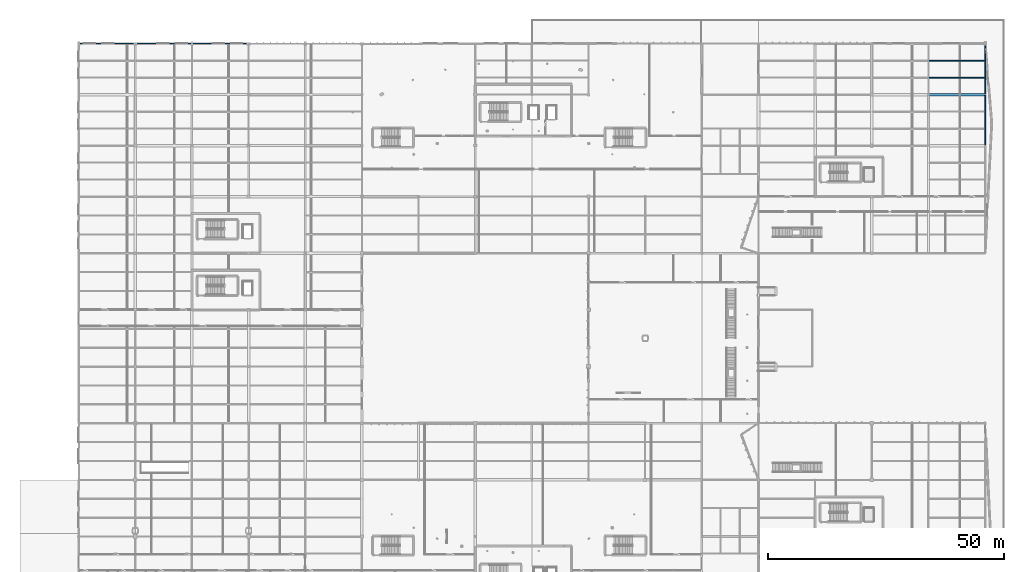
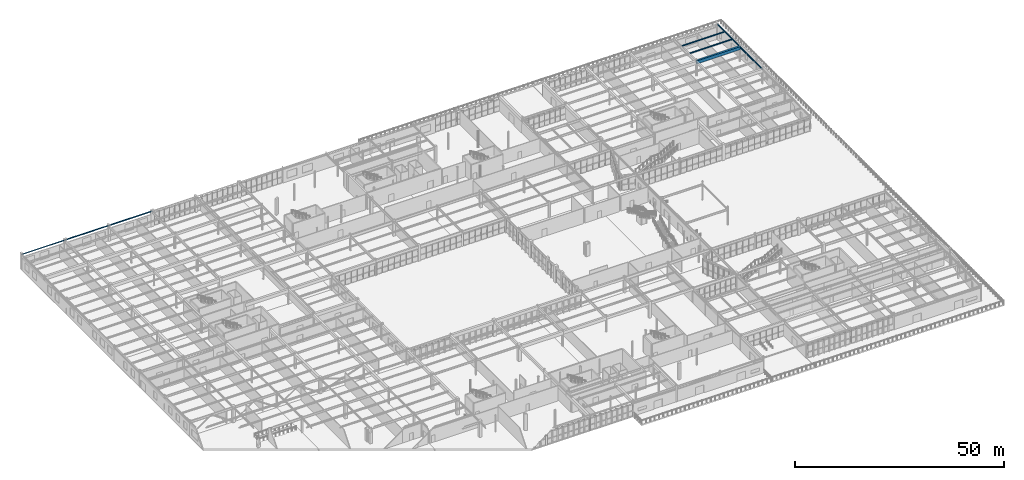
# One storey, part 110 of 199: 8 beams.
"""IFC4 building model written with IfcOpenShell, lengths in metres."""

from ifc_helpers import new_model, si_unit, direction, frame, origin, origin_2d, place, context, subcontext, project, spatial, rectangle, hollow_rectangle, i_section, extrude, material, material_profile, profile_set, type_object, element, save


model = new_model("IFC4")

# Units and contexts
model_context = context("Model", 3, precision=1e-05, world=origin(), true_north=direction((0.0, 1.0)))
body_context = subcontext(model_context, "Body", "Model", "MODEL_VIEW")
ifc_project = project(units=[si_unit("LENGTHUNIT", "METRE"), si_unit("AREAUNIT", "SQUARE_METRE"), si_unit("VOLUMEUNIT", "CUBIC_METRE"), si_unit("PLANEANGLEUNIT", "RADIAN"), si_unit("MASSUNIT", "GRAM", prefix="KILO")], contexts=[model_context])

# Site, building, storey
site_placement = place(None, origin())
site = spatial("IfcSite", under=ifc_project, at=site_placement, CompositionType="ELEMENT")
building_placement = place(site_placement, origin())
building = spatial("IfcBuilding", under=site, at=building_placement, Name="Tarnwether General Hospital", CompositionType="ELEMENT")
storey_placement = place(building_placement, origin())
storey = spatial("IfcBuildingStorey", under=building, at=storey_placement, Name="L00", CompositionType="ELEMENT", Elevation=0.0)

# Beams
ifc_material_1 = material(Name="Concrete 40 MPa", Category="concrete")
ifc_material_profile_1 = material_profile(ifc_material_1, rectangle(XDim=0.5, YDim=0.89990234375, at=origin_2d()), Name="RC-BM-500x900")
ifc_profile_set_1 = profile_set([ifc_material_profile_1], Name="Concrete 40 MPa")
beam_type_1 = type_object("IfcBeamType", Name="BM-G12", PredefinedType="BEAM", material=ifc_profile_set_1)
beam_1_placement = place(storey_placement, frame((180.0, 115.199951171875, 3.9951171875), z_axis=(1.0, 0.0, 0.0), x_axis=(0.0, 1.0, 0.0)))
element("IfcBeam", 1, at=beam_1_placement, inside=storey, type_object=beam_type_1, Name="Primary Girder BMG-L00-18000_11520-19200_11520-0852", PredefinedType="BEAM", context=body_context, shape_type="SweptSolid", body=[
    extrude(rectangle(XDim=0.5, YDim=0.89990234375, at=origin_2d()), origin(), (0.0, 0.0, 1.0), 12.0),
])
ifc_material_2 = material(Name="Steel Grade 350 (350 MPa)", Category="steel")
ifc_material_profile_2 = material_profile(ifc_material_2, i_section(OverallWidth=0.172119140625, OverallDepth=0.35888671875, WebThickness=0.008056640625, FlangeThickness=0.012939453125, at=origin_2d()), Name="360UB56.7")
ifc_profile_set_2 = profile_set([ifc_material_profile_2], Name="Steel Grade 350 (350 MPa)")
beam_type_2 = type_object("IfcBeamType", Name="BM-J03", PredefinedType="JOIST", material=ifc_profile_set_2)
beam_2_placement = place(storey_placement, frame((180.14404296875, 118.800048828125, 4.265380859375), z_axis=(1.0, 0.0, 0.0), x_axis=(0.0, 1.0, 0.0)))
element("IfcBeam", 2, at=beam_2_placement, inside=storey, type_object=beam_type_2, Name="Composite Floor Joist BMG-L00-18014_11880-19191_11880-1043", PredefinedType="JOIST", context=body_context, shape_type="SweptSolid", body=[
    extrude(i_section(OverallWidth=0.172119140625, OverallDepth=0.35888671875, WebThickness=0.008056640625, FlangeThickness=0.012939453125, at=origin_2d()), origin(), (0.0, 0.0, 1.0), 11.761962890625),
])
ifc_material_3 = material(Name="Steel Grade 350 (350 MPa)", Category="steel")
ifc_material_profile_3 = material_profile(ifc_material_3, i_section(OverallWidth=0.1708984375, OverallDepth=0.35595703125, WebThickness=0.00732421875, FlangeThickness=0.011474609375, at=origin_2d()), Name="360UB50.7")
ifc_profile_set_3 = profile_set([ifc_material_profile_3], Name="Steel Grade 350 (350 MPa)")
beam_type_3 = type_object("IfcBeamType", Name="BM-J04", PredefinedType="JOIST", material=ifc_profile_set_3)
beam_3_placement = place(storey_placement, frame((180.14404296875, 122.39990234375, 4.26708984375), z_axis=(1.0, 0.0, 0.0), x_axis=(0.0, 1.0, 0.0)))
element("IfcBeam", 3, at=beam_3_placement, inside=storey, type_object=beam_type_3, Name="Composite Floor Joist BMG-L00-18014_12240-19191_12240-1044", PredefinedType="JOIST", context=body_context, shape_type="SweptSolid", body=[
    extrude(i_section(OverallWidth=0.1708984375, OverallDepth=0.35595703125, WebThickness=0.00732421875, FlangeThickness=0.011474609375, at=origin_2d()), origin(), (0.0, 0.0, 1.0), 11.761962890625),
])
ifc_material_4 = material(Name="Steel Grade 350 (350 MPa)", Category="steel")
ifc_material_profile_4 = material_profile(ifc_material_4, i_section(OverallWidth=0.177978515625, OverallDepth=0.403076171875, WebThickness=0.007568359375, FlangeThickness=0.010986328125, at=origin_2d()), Name="410UB53.7")
ifc_profile_set_4 = profile_set([ifc_material_profile_4], Name="Steel Grade 350 (350 MPa)")
beam_type_4 = type_object("IfcBeamType", Name="BM-SP2", PredefinedType="SPANDREL", material=ifc_profile_set_4)
beam_4_placement = place(storey_placement, frame((192.0, 104.39990234375, 4.243408203125), z_axis=(0.0, 1.0, 0.0), x_axis=(-1.0, 0.0, 0.0)))
element("IfcBeam", 4, at=beam_4_placement, inside=storey, type_object=beam_type_4, Name="Primary Girder BMG-L00-19200_10440-19200_11520-0861", PredefinedType="SPANDREL", context=body_context, shape_type="SweptSolid", body=[
    extrude(i_section(OverallWidth=0.177978515625, OverallDepth=0.403076171875, WebThickness=0.007568359375, FlangeThickness=0.010986328125, at=origin_2d()), origin(), (0.0, 0.0, 1.0), 10.800048828125),
])
ifc_material_5 = material(Name="Steel Grade C350L0 (350 MPa)", Category="steel")
ifc_material_profile_5 = material_profile(ifc_material_5, hollow_rectangle(XDim=0.199951171875, YDim=0.300048828125, WallThickness=0.012451171875, at=origin_2d()), Name="RHS300x200x12.5")
ifc_profile_set_5 = profile_set([ifc_material_profile_5], Name="Steel Grade C350L0 (350 MPa)")
beam_type_5 = type_object("IfcBeamType", Name="BM-SP3", PredefinedType="SPANDREL", material=ifc_profile_set_5)
beam_5_placement = place(storey_placement, frame((192.0, 115.199951171875, 4.294921875), z_axis=(0.0, 1.0, 0.0), x_axis=(-1.0, 0.0, 0.0)))
element("IfcBeam", 5, at=beam_5_placement, inside=storey, type_object=beam_type_5, Name="Primary Girder BMG-L00-19200_11520-19200_12600-0862", PredefinedType="SPANDREL", context=body_context, shape_type="SweptSolid", body=[
    extrude(hollow_rectangle(XDim=0.199951171875, YDim=0.300048828125, WallThickness=0.012451171875, at=origin_2d()), origin(), (0.0, 0.0, 1.0), 10.800048828125),
])
ifc_material_6 = material(Name="Steel Grade C350L0 (350 MPa)", Category="steel")
ifc_material_profile_6 = material_profile(ifc_material_6, hollow_rectangle(XDim=0.14990234375, YDim=0.25, WallThickness=0.010009765625, at=origin_2d()), Name="RHS250x150x10")
ifc_profile_set_6 = profile_set([ifc_material_profile_6], Name="Steel Grade C350L0 (350 MPa)")
beam_type_6 = type_object("IfcBeamType", Name="BM-SP4", PredefinedType="SPANDREL", material=ifc_profile_set_6)
beam_6_placement = place(storey_placement, frame((0.0, 126.0, 4.320068359375), z_axis=(1.0, 0.0, 0.0), x_axis=(0.0, 1.0, 0.0)))
element("IfcBeam", 6, at=beam_6_placement, inside=storey, type_object=beam_type_6, Name="Primary Girder BMG-L00-0_12600-1200_12600-0601", PredefinedType="SPANDREL", context=body_context, shape_type="SweptSolid", body=[
    extrude(hollow_rectangle(XDim=0.14990234375, YDim=0.25, WallThickness=0.010009765625, at=origin_2d()), origin(), (0.0, 0.0, 1.0), 12.0),
])
ifc_material_7 = material(Name="Steel Grade 350 (350 MPa)", Category="steel")
ifc_material_profile_7 = material_profile(ifc_material_7, i_section(OverallWidth=0.133056640625, OverallDepth=0.202880859375, WebThickness=0.005859375, FlangeThickness=0.0078125, at=origin_2d()), Name="200UB25.4")
ifc_profile_set_7 = profile_set([ifc_material_profile_7], Name="Steel Grade 350 (350 MPa)")
beam_type_7 = type_object("IfcBeamType", Name="BM-SP5", PredefinedType="SPANDREL", material=ifc_profile_set_7)
beam_7_placement = place(storey_placement, frame((12.0, 126.0, 4.343505859375), z_axis=(1.0, 0.0, 0.0), x_axis=(0.0, 1.0, 0.0)))
element("IfcBeam", 7, at=beam_7_placement, inside=storey, type_object=beam_type_7, Name="Primary Girder BMG-L00-1200_12600-2400_12600-0624", PredefinedType="SPANDREL", context=body_context, shape_type="SweptSolid", body=[
    extrude(i_section(OverallWidth=0.133056640625, OverallDepth=0.202880859375, WebThickness=0.005859375, FlangeThickness=0.0078125, at=origin_2d()), origin(), (0.0, 0.0, 1.0), 12.0),
])
ifc_material_8 = material(Name="Steel Grade 350 (350 MPa)", Category="steel")
ifc_material_profile_8 = material_profile(ifc_material_8, i_section(OverallWidth=0.133056640625, OverallDepth=0.201904296875, WebThickness=0.0048828125, FlangeThickness=0.007080078125, at=origin_2d()), Name="200UB22.3")
ifc_profile_set_8 = profile_set([ifc_material_profile_8], Name="Steel Grade 350 (350 MPa)")
beam_type_8 = type_object("IfcBeamType", Name="BM-SP6", PredefinedType="SPANDREL", material=ifc_profile_set_8)
beam_8_placement = place(storey_placement, frame((24.0, 126.0, 4.343994140625), z_axis=(1.0, 0.0, 0.0), x_axis=(0.0, 1.0, 0.0)))
element("IfcBeam", 8, at=beam_8_placement, inside=storey, type_object=beam_type_8, Name="Primary Girder BMG-L00-2400_12600-3600_12600-0647", PredefinedType="SPANDREL", context=body_context, shape_type="SweptSolid", body=[
    extrude(i_section(OverallWidth=0.133056640625, OverallDepth=0.201904296875, WebThickness=0.0048828125, FlangeThickness=0.007080078125, at=origin_2d()), origin(), (0.0, 0.0, 1.0), 12.0),
])

save(model, "model.ifc")
